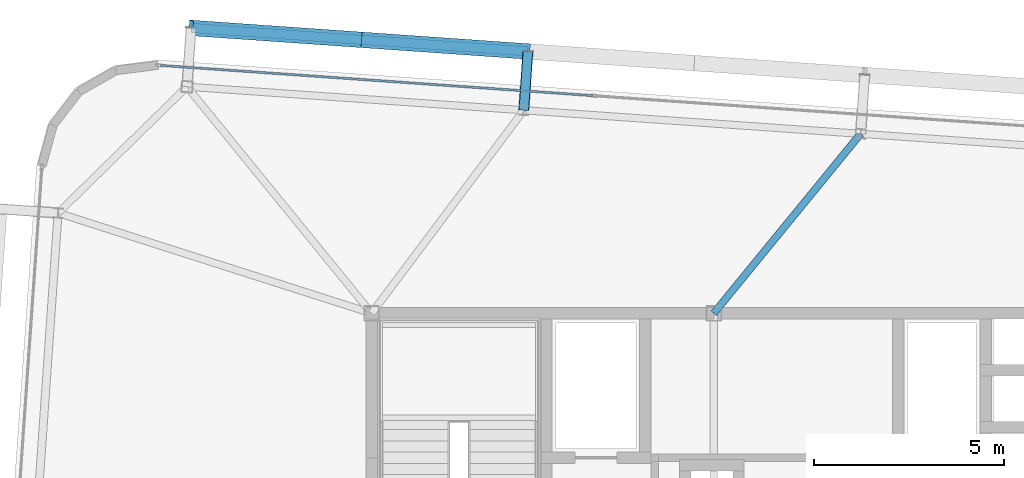
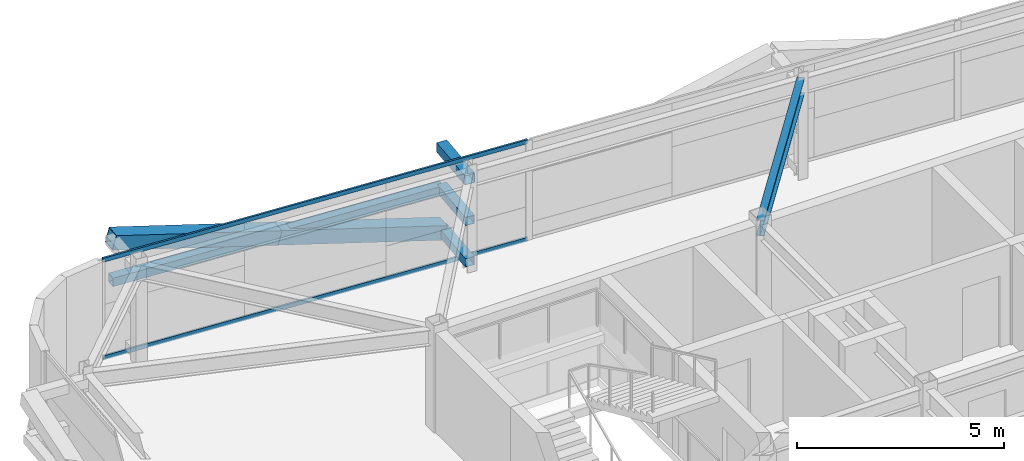
# One storey, part 20 of 39: 8 members, 1 beam, 1 element without a shape of its own.
"""IFC4 building model written with IfcOpenShell, lengths in metres."""

from ifc_helpers import new_model, si_unit, direction, frame, origin, origin_2d, place, context, subcontext, project, spatial, hollow_rectangle, i_section, extrude, source, transform, mapped, material, layer, layer_set, material_profile, profile_set, type_object, element, aggregate, save


model = new_model("IFC4")

# Units and contexts
model_context = context("Model", 3, precision=1e-05, world=origin(), true_north=direction((0.0, 1.0)))
body_context = subcontext(model_context, "Body", "Model", "MODEL_VIEW")
ifc_project = project(units=[si_unit("LENGTHUNIT", "METRE"), si_unit("AREAUNIT", "SQUARE_METRE"), si_unit("VOLUMEUNIT", "CUBIC_METRE"), si_unit("PLANEANGLEUNIT", "RADIAN"), si_unit("MASSUNIT", "GRAM", prefix="KILO")], contexts=[model_context])

# Site, building, storey
site_placement = place(None, origin())
site = spatial("IfcSite", under=ifc_project, at=site_placement, CompositionType="ELEMENT")
building_placement = place(site_placement, origin())
building = spatial("IfcBuilding", under=site, at=building_placement, Name="Taldren Reach Tower", CompositionType="ELEMENT")
storey_placement = place(building_placement, frame((0.0, 0.0, 129.85009765625)))
storey = spatial("IfcBuildingStorey", under=building, at=storey_placement, Name="L39", CompositionType="ELEMENT", Elevation=129.85009765625)

# Members
ifc_material_1 = material(Name="Steel Gr 450 (C450L0)", Category="steel")
ifc_material_profile_1 = material_profile(ifc_material_1, hollow_rectangle(XDim=0.27490234375, YDim=0.27490234375, WallThickness=0.00927734375, at=origin_2d()), Name="275x275x9.3SHS")
ifc_profile_set_1 = profile_set([ifc_material_profile_1], Name="Steel Gr 450 (C450L0)")
member_type_1 = type_object("IfcMemberType", Name="MB-TIE273", PredefinedType="STRUT", material=ifc_profile_set_1)
shared_shape_1 = source(origin(), body_context, "Body", "SweptSolid", [
    extrude(hollow_rectangle(XDim=0.27490234375, YDim=0.27490234375, WallThickness=0.00927734375, at=origin_2d()), origin(), (0.0, 0.0, 1.0), 1.5498046875),
])
member_1_placement = place(storey_placement, frame((23.0029296875, 37.33935546875, 2.64990234375), z_axis=(0.069780535098, 0.997562367434, 0.0), x_axis=(-0.997562367434, 0.069780535098, 0.0)))
element("IfcMember", 1, at=member_1_placement, inside=storey, type_object=member_type_1, Name="Exoskeleton diaphragm tie strut B3-N2 L39", PredefinedType="STRUT", context=body_context, shape_type="MappedRepresentation", body=[
    mapped(shared_shape_1, transform((0.0, 0.0, 0.0), scale=1.0)),
])
ifc_material_2 = material(Name="Steel Gr 350 (C350L0)", Category="steel")
ifc_material_profile_2 = material_profile(ifc_material_2, hollow_rectangle(XDim=0.25, YDim=0.25, WallThickness=0.010009765625, at=origin_2d()), Name="250x250x10.0SHS")
ifc_profile_set_2 = profile_set([ifc_material_profile_2], Name="Steel Gr 350 (C350L0)")
member_type_2 = type_object("IfcMemberType", Name="MB-POST250", PredefinedType="POST", material=ifc_profile_set_2)
shared_shape_2 = source(origin(), body_context, "Body", "SweptSolid", [
    extrude(hollow_rectangle(XDim=0.25, YDim=0.25, WallThickness=0.010009765625, at=origin_2d()), origin(), (0.0, 0.0, 1.0), 1.5498046875),
])
for number, where, z_axis, x_axis, name in (
    (2, (23.0029296875, 37.33935546875, 0.219970703125), (0.069780535098, 0.997562367434, 0.0), (-0.997562367434, 0.069780535098, 0.0), "Exoskeleton base diaphragm tie strut B3-N2 L39"),
    (3, (23.0029296875, 37.33935546875, 1.434814453125), (0.069780535098, 0.997562367434, 0.0), (-0.997562367434, 0.069780535098, 0.0), "Exoskeleton mid-tier diaphragm tie B3-N2 L39"),
):
    element("IfcMember", number, at=place(storey_placement, frame(where, z_axis=z_axis, x_axis=x_axis)), inside=storey, type_object=member_type_2, Name=name, PredefinedType="POST", context=body_context, shape_type="MappedRepresentation", body=[
        mapped(shared_shape_2, transform((0.0, 0.0, 0.0), scale=1.0)),
    ])

# Beam
ifc_material_3 = material(Name="Steel Gr 350 (350PLUS)", Category="steel")
ifc_material_profile_3 = material_profile(ifc_material_3, i_section(OverallWidth=0.19091796875, OverallDepth=0.4599609375, WebThickness=0.010009765625, FlangeThickness=0.01611328125, at=origin_2d()), Name="460UB82.1")
ifc_profile_set_3 = profile_set([ifc_material_profile_3], Name="Steel Gr 350 (350PLUS)")
beam_type = type_object("IfcBeamType", Name="BM-UB460A", PredefinedType="BEAM", material=ifc_profile_set_3)
shared_shape_3 = source(origin(), body_context, "Body", "SweptSolid", [
    extrude(i_section(OverallWidth=0.19091796875, OverallDepth=0.4599609375, WebThickness=0.010009765625, FlangeThickness=0.01611328125, at=origin_2d()), origin(), (0.0, 0.0, 1.0), 6.09814453125),
])
beam_placement = place(storey_placement, frame((28.0, 32.0, 2.699951171875), z_axis=(0.633192006663, 0.773994756247, 0.0), x_axis=(-0.773994756247, 0.633192006663, 0.0)))
element("IfcBeam", 4, at=beam_placement, inside=storey, type_object=beam_type, Name="Primary floor girder B3-N3 L39", PredefinedType="BEAM", context=body_context, shape_type="MappedRepresentation", body=[
    mapped(shared_shape_3, transform((0.0, 0.0, 0.0), scale=1.0)),
])

# Members
shared_shape_4 = source(origin(), body_context, "Body", "SweptSolid", [
    extrude(hollow_rectangle(XDim=0.25, YDim=0.25, WallThickness=0.010009765625, at=origin_2d()), origin(), (0.0, 0.0, 1.0), 8.880126953125),
])
member_2_placement = place(storey_placement, frame((14.252685546875, 39.5048828125, 1.434814453125), z_axis=(0.997564479639, -0.069750333063, 0.0), x_axis=(0.069750333063, 0.997564479639, 0.0)))
element("IfcMember", 5, at=member_2_placement, inside=storey, type_object=member_type_2, Name="Exoskeleton mid-height ring chord B3-N1 L39", PredefinedType="POST", context=body_context, shape_type="MappedRepresentation", body=[
    mapped(shared_shape_4, transform((0.0, 0.0, 0.0), scale=1.0)),
])
ifc_material_profile_4 = material_profile(ifc_material_1, hollow_rectangle(XDim=0.409912109375, YDim=0.409912109375, WallThickness=0.01611328125, at=origin_2d()), Name="410x410x16.0SHS")
ifc_profile_set_4 = profile_set([ifc_material_profile_4], Name="Steel Gr 450 (C450L0)")
member_type_3 = type_object("IfcMemberType", Name="MB-EXO406", PredefinedType="BRACE", material=ifc_profile_set_4)
shared_shape_5 = source(origin(), body_context, "Body", "SweptSolid", [
    extrude(hollow_rectangle(XDim=0.409912109375, YDim=0.409912109375, WallThickness=0.01611328125, at=origin_2d()), origin(), (0.0, 0.0, 1.0), 4.603271484375),
])
for number, where, z_axis, x_axis, name in (
    (6, (23.111083984375, 38.885498046875, 0.219970703125), (-0.962195820062, 0.067303852699, 0.263911718699), (-0.06977769246, -0.997562566276, 0.0), "Exoskeleton Diagrid Brace B3-N1 L39"),
    (7, (18.681884765625, 39.1953125, 1.434814453125), (-0.962185784239, 0.067250114343, 0.263962002434), (-0.069722973508, -0.997566392259, 0.0), "Exoskeleton Diagrid Brace B3-N1 L39"),
):
    element("IfcMember", number, at=place(storey_placement, frame(where, z_axis=z_axis, x_axis=x_axis)), inside=storey, type_object=member_type_3, Name=name, PredefinedType="BRACE", context=body_context, shape_type="MappedRepresentation", body=[
        mapped(shared_shape_5, transform((0.0, 0.0, 0.0), scale=1.0)),
    ])

# Curtain wall, members
ifc_material_4 = material(Name="Aluminium and Low-E Glass Unitised System", Category="aluminium")
ifc_layer = layer(ifc_material_4, 0.159912109375)
ifc_layer_set = layer_set([ifc_layer], Name="Aluminium and Low-E Glass Unitised System")
curtain_wall_type = type_object("IfcCurtainWallType", Name="CW-SYS-4", PredefinedType="NOTDEFINED", material=ifc_layer_set)
curtain_wall_placement = place(storey_placement, origin())
curtain_wall = element("IfcCurtainWall", 8, at=curtain_wall_placement, inside=storey, type_object=curtain_wall_type, Name="Unitised curtain wall CW-L39-N", PredefinedType="NOTDEFINED")
ifc_material_5 = material(Name="Anodised Aluminium 6063-T6", Category="aluminium")
ifc_material_profile_5 = material_profile(ifc_material_5, hollow_rectangle(XDim=0.054931640625, YDim=0.1201171875, WallThickness=0.0029296875, at=origin_2d()), Name="ALU-120x55x3RHS")
ifc_profile_set_5 = profile_set([ifc_material_profile_5], Name="Anodised Aluminium 6063-T6")
member_type_4 = type_object("IfcMemberType", Name="CW-TRN-135", PredefinedType="USERDEFINED", material=ifc_profile_set_5)
shared_shape_6 = source(origin(), body_context, "Body", "SweptSolid", [
    extrude(hollow_rectangle(XDim=0.054931640625, YDim=0.1201171875, WallThickness=0.0029296875, at=origin_2d()), origin(), (0.0, 0.0, 1.0), 11.39501953125),
])
member_3_placement = place(storey_placement, frame((24.819091796875, 37.7236328125, 0.02734375), z_axis=(-0.997563740682, 0.069760900766, 0.0), x_axis=(-0.069760900766, -0.997563740682, 0.0)))
member_3 = element("IfcMember", 9, at=member_3_placement, type_object=member_type_4, Name="CW-4 transom 4.1", ObjectType="TRANSOM", PredefinedType="USERDEFINED", context=body_context, shape_type="MappedRepresentation", body=[
    mapped(shared_shape_6, transform((0.0, 0.0, 0.0), scale=1.0)),
])
member_4_placement = place(storey_placement, frame((24.819091796875, 37.7236328125, 2.90234375), z_axis=(-0.997563740682, 0.069760900766, 0.0), x_axis=(-0.069760900766, -0.997563740682, 0.0)))
member_4 = element("IfcMember", 10, at=member_4_placement, type_object=member_type_4, Name="CW-4 transom 4.2", ObjectType="TRANSOM", PredefinedType="USERDEFINED", context=body_context, shape_type="MappedRepresentation", body=[
    mapped(shared_shape_6, transform((0.0, 0.0, 0.0), scale=1.0)),
])
aggregate(curtain_wall, [member_3, member_4])

save(model, "model.ifc")
